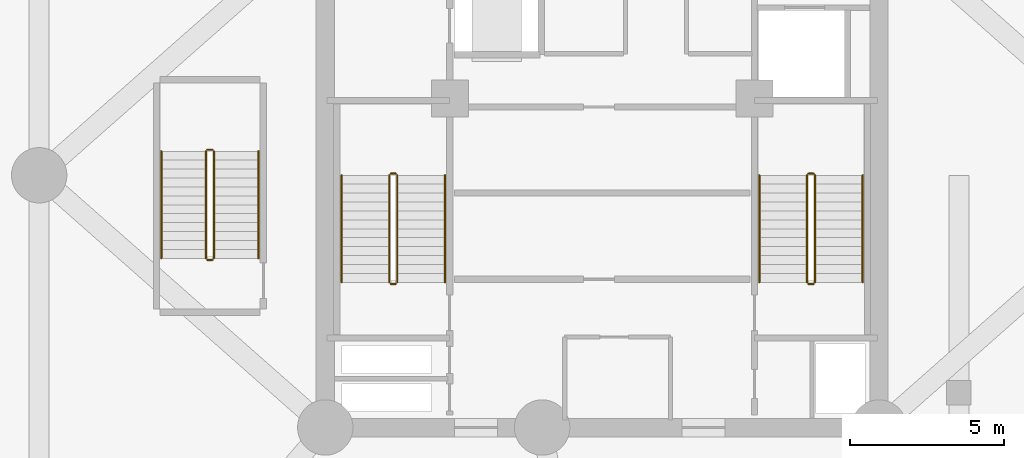
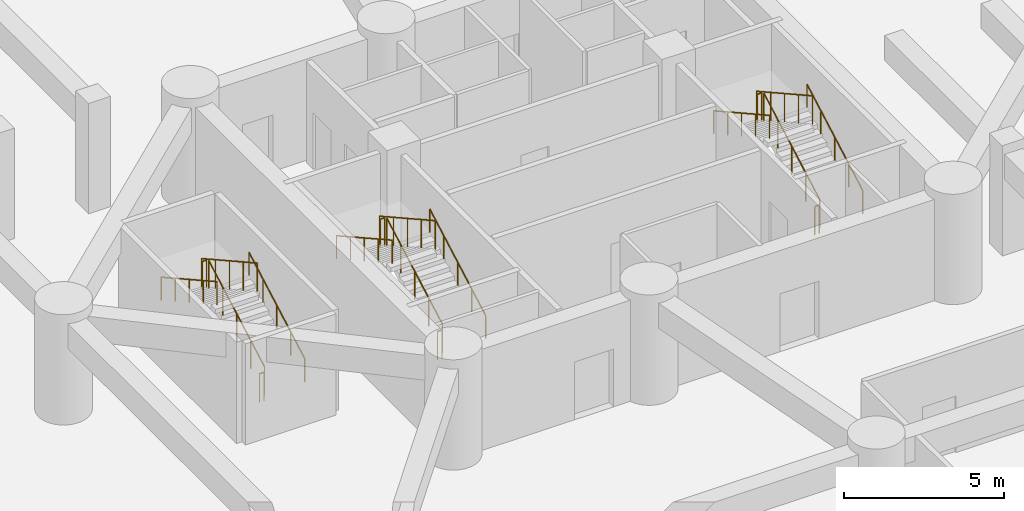
# One storey, part 8 of 11: 18 railings.
"""IFC4 building model written with IfcOpenShell, lengths in metres."""

from ifc_helpers import new_model, si_unit, direction, frame, origin, origin_2d, place, context, subcontext, project, spatial, circle, extrude, material, layer, layer_set, type_object, element, save


model = new_model("IFC4")

# Units and contexts
model_context = context("Model", 3, precision=1e-05, world=origin(), true_north=direction((0.0, 1.0)))
body_context = subcontext(model_context, "Body", "Model", "MODEL_VIEW")
ifc_project = project(units=[si_unit("LENGTHUNIT", "METRE"), si_unit("AREAUNIT", "SQUARE_METRE"), si_unit("VOLUMEUNIT", "CUBIC_METRE"), si_unit("PLANEANGLEUNIT", "RADIAN"), si_unit("MASSUNIT", "GRAM", prefix="KILO")], contexts=[model_context])

# Site, building, storey
site_placement = place(None, origin())
site = spatial("IfcSite", under=ifc_project, at=site_placement, CompositionType="ELEMENT")
building_placement = place(site_placement, origin())
building = spatial("IfcBuilding", under=site, at=building_placement, Name="Karkom Vertical University and Central Library", CompositionType="ELEMENT")
storey_placement = place(building_placement, frame((0.0, 0.0, -4.199951171875)))
storey = spatial("IfcBuildingStorey", under=building, at=storey_placement, Name="B01", CompositionType="ELEMENT", Elevation=-4.199951171875)

# Railings
ifc_material_1 = material(Name="Painted galvanised steel balustrade", Category="steel")
ifc_layer_1 = layer(ifc_material_1, 0.06005859375)
ifc_layer_set_1 = layer_set([ifc_layer_1], Name="Painted galvanised steel balustrade")
railing_type_1 = type_object("IfcRailingType", Name="INT-RL-GUARD1100", PredefinedType="GUARDRAIL", material=ifc_layer_set_1)
railing_1_placement = place(storey_placement, frame((21.840087890625, 23.02001953125, 0.161376953125)))
element("IfcRailing", 1, at=railing_1_placement, inside=storey, type_object=railing_type_1, Name="Basement 01 ST-1 stair guard 1", PredefinedType="GUARDRAIL", context=body_context, shape_type="SweptSolid", body=[
    extrude(circle(Radius=0.02392578125, at=origin_2d()), frame((0.0, 0.0, 1.076171875), z_axis=(0.0, 0.87360743253, 0.486631332559), x_axis=(-1.0, 0.0, 0.0)), (0.0, 0.0, 1.0), 3.9833984375),
    extrude(circle(Radius=0.02099609375, at=origin_2d()), origin(), (0.0, 0.0, 1.0), 1.052001953125),
    extrude(circle(Radius=0.02099609375, at=origin_2d()), frame((0.0, 0.8701171875, 0.484619140625)), (0.0, 0.0, 1.0), 1.052001953125),
    extrude(circle(Radius=0.02099609375, at=origin_2d()), frame((0.0, 1.739990234375, 0.96923828125)), (0.0, 0.0, 1.0), 1.052001953125),
    extrude(circle(Radius=0.02099609375, at=origin_2d()), frame((0.0, 2.60986328125, 1.453857421875)), (0.0, 0.0, 1.0), 1.052001953125),
    extrude(circle(Radius=0.02099609375, at=origin_2d()), frame((0.0, 3.47998046875, 1.9384765625)), (0.0, 0.0, 1.0), 1.052001953125),
])
railing_2_placement = place(storey_placement, frame((21.7900390625, 26.550048828125, 2.099853515625)))
element("IfcRailing", 2, at=railing_2_placement, inside=storey, type_object=railing_type_1, Name="Basement 01 ST-1 stair guard 2", PredefinedType="GUARDRAIL", context=body_context, shape_type="SweptSolid", body=[
    extrude(circle(Radius=0.02392578125, at=origin_2d()), frame((0.0, 0.0, 1.076171875), z_axis=(-1.0, 0.0, 0.0), x_axis=(0.0, -1.0, 0.0)), (0.0, 0.0, 1.0), 0.16015625),
    extrude(circle(Radius=0.02099609375, at=origin_2d()), origin(), (0.0, 0.0, 1.0), 1.052001953125),
    extrude(circle(Radius=0.02099609375, at=origin_2d()), frame((-0.16015625, 0.0, 0.0)), (0.0, 0.0, 1.0), 1.052001953125),
])
railing_3_placement = place(storey_placement, frame((21.580078125, 26.5, 2.261474609375)))
element("IfcRailing", 3, at=railing_3_placement, inside=storey, type_object=railing_type_1, Name="Basement 01 ST-1 stair guard 3", PredefinedType="GUARDRAIL", context=body_context, shape_type="SweptSolid", body=[
    extrude(circle(Radius=0.02392578125, at=origin_2d()), frame((0.0, 0.0, 1.076171875), z_axis=(0.0, -0.87360743253, 0.486631332559), x_axis=(1.0, 0.0, 0.0)), (0.0, 0.0, 1.0), 3.9833984375),
    extrude(circle(Radius=0.02099609375, at=origin_2d()), origin(), (0.0, 0.0, 1.0), 1.052001953125),
    extrude(circle(Radius=0.02099609375, at=origin_2d()), frame((0.0, -0.8701171875, 0.484619140625)), (0.0, 0.0, 1.0), 1.052001953125),
    extrude(circle(Radius=0.02099609375, at=origin_2d()), frame((0.0, -1.739990234375, 0.96923828125)), (0.0, 0.0, 1.0), 1.052001953125),
    extrude(circle(Radius=0.02099609375, at=origin_2d()), frame((0.0, -2.60986328125, 1.453857421875)), (0.0, 0.0, 1.0), 1.052001953125),
    extrude(circle(Radius=0.02099609375, at=origin_2d()), frame((0.0, -3.47998046875, 1.9384765625)), (0.0, 0.0, 1.0), 1.052001953125),
])
railing_4_placement = place(storey_placement, frame((21.7900390625, 22.969970703125, 0.0)))
element("IfcRailing", 4, at=railing_4_placement, inside=storey, type_object=railing_type_1, Name="Basement 01 ST-1 stair guard 4", PredefinedType="GUARDRAIL", context=body_context, shape_type="SweptSolid", body=[
    extrude(circle(Radius=0.02392578125, at=origin_2d()), frame((0.0, 0.0, 1.076171875), z_axis=(-1.0, 0.0, 0.0), x_axis=(0.0, -1.0, 0.0)), (0.0, 0.0, 1.0), 0.16015625),
    extrude(circle(Radius=0.02099609375, at=origin_2d()), origin(), (0.0, 0.0, 1.0), 1.052001953125),
    extrude(circle(Radius=0.02099609375, at=origin_2d()), frame((-0.16015625, 0.0, 0.0)), (0.0, 0.0, 1.0), 1.052001953125),
])
railing_5_placement = place(storey_placement, frame((35.419921875, 23.02001953125, 0.161376953125)))
element("IfcRailing", 5, at=railing_5_placement, inside=storey, type_object=railing_type_1, Name="Basement 01 ST-2 stair guard 1", PredefinedType="GUARDRAIL", context=body_context, shape_type="SweptSolid", body=[
    extrude(circle(Radius=0.02392578125, at=origin_2d()), frame((0.0, 0.0, 1.076171875), z_axis=(0.0, 0.87360743253, 0.486631332559), x_axis=(-1.0, 0.0, 0.0)), (0.0, 0.0, 1.0), 3.9833984375),
    extrude(circle(Radius=0.02099609375, at=origin_2d()), origin(), (0.0, 0.0, 1.0), 1.052001953125),
    extrude(circle(Radius=0.02099609375, at=origin_2d()), frame((0.0, 0.8701171875, 0.484619140625)), (0.0, 0.0, 1.0), 1.052001953125),
    extrude(circle(Radius=0.02099609375, at=origin_2d()), frame((0.0, 1.739990234375, 0.96923828125)), (0.0, 0.0, 1.0), 1.052001953125),
    extrude(circle(Radius=0.02099609375, at=origin_2d()), frame((0.0, 2.60986328125, 1.453857421875)), (0.0, 0.0, 1.0), 1.052001953125),
    extrude(circle(Radius=0.02099609375, at=origin_2d()), frame((0.0, 3.47998046875, 1.9384765625)), (0.0, 0.0, 1.0), 1.052001953125),
])
railing_6_placement = place(storey_placement, frame((35.3701171875, 26.550048828125, 2.099853515625)))
element("IfcRailing", 6, at=railing_6_placement, inside=storey, type_object=railing_type_1, Name="Basement 01 ST-2 stair guard 2", PredefinedType="GUARDRAIL", context=body_context, shape_type="SweptSolid", body=[
    extrude(circle(Radius=0.02392578125, at=origin_2d()), frame((0.0, 0.0, 1.076171875), z_axis=(-1.0, 0.0, 0.0), x_axis=(0.0, -1.0, 0.0)), (0.0, 0.0, 1.0), 0.16015625),
    extrude(circle(Radius=0.02099609375, at=origin_2d()), origin(), (0.0, 0.0, 1.0), 1.052001953125),
    extrude(circle(Radius=0.02099609375, at=origin_2d()), frame((-0.16015625, 0.0, 0.0)), (0.0, 0.0, 1.0), 1.052001953125),
])
railing_7_placement = place(storey_placement, frame((35.159912109375, 26.5, 2.261474609375)))
element("IfcRailing", 7, at=railing_7_placement, inside=storey, type_object=railing_type_1, Name="Basement 01 ST-2 stair guard 3", PredefinedType="GUARDRAIL", context=body_context, shape_type="SweptSolid", body=[
    extrude(circle(Radius=0.02392578125, at=origin_2d()), frame((0.0, 0.0, 1.076171875), z_axis=(0.0, -0.87360743253, 0.486631332559), x_axis=(1.0, 0.0, 0.0)), (0.0, 0.0, 1.0), 3.9833984375),
    extrude(circle(Radius=0.02099609375, at=origin_2d()), origin(), (0.0, 0.0, 1.0), 1.052001953125),
    extrude(circle(Radius=0.02099609375, at=origin_2d()), frame((0.0, -0.8701171875, 0.484619140625)), (0.0, 0.0, 1.0), 1.052001953125),
    extrude(circle(Radius=0.02099609375, at=origin_2d()), frame((0.0, -1.739990234375, 0.96923828125)), (0.0, 0.0, 1.0), 1.052001953125),
    extrude(circle(Radius=0.02099609375, at=origin_2d()), frame((0.0, -2.60986328125, 1.453857421875)), (0.0, 0.0, 1.0), 1.052001953125),
    extrude(circle(Radius=0.02099609375, at=origin_2d()), frame((0.0, -3.47998046875, 1.9384765625)), (0.0, 0.0, 1.0), 1.052001953125),
])
railing_8_placement = place(storey_placement, frame((35.3701171875, 22.969970703125, 0.0)))
element("IfcRailing", 8, at=railing_8_placement, inside=storey, type_object=railing_type_1, Name="Basement 01 ST-2 stair guard 4", PredefinedType="GUARDRAIL", context=body_context, shape_type="SweptSolid", body=[
    extrude(circle(Radius=0.02392578125, at=origin_2d()), frame((0.0, 0.0, 1.076171875), z_axis=(-1.0, 0.0, 0.0), x_axis=(0.0, -1.0, 0.0)), (0.0, 0.0, 1.0), 0.16015625),
    extrude(circle(Radius=0.02099609375, at=origin_2d()), origin(), (0.0, 0.0, 1.0), 1.052001953125),
    extrude(circle(Radius=0.02099609375, at=origin_2d()), frame((-0.16015625, 0.0, 0.0)), (0.0, 0.0, 1.0), 1.052001953125),
])
railing_9_placement = place(storey_placement, frame((15.8798828125, 23.800048828125, 0.161376953125)))
element("IfcRailing", 9, at=railing_9_placement, inside=storey, type_object=railing_type_1, Name="Basement 01 ST-3 stair guard 1", PredefinedType="GUARDRAIL", context=body_context, shape_type="SweptSolid", body=[
    extrude(circle(Radius=0.02392578125, at=origin_2d()), frame((0.0, 0.0, 1.076171875), z_axis=(0.0, 0.87360743253, 0.486631332559), x_axis=(-1.0, 0.0, 0.0)), (0.0, 0.0, 1.0), 3.9833984375),
    extrude(circle(Radius=0.02099609375, at=origin_2d()), origin(), (0.0, 0.0, 1.0), 1.052001953125),
    extrude(circle(Radius=0.02099609375, at=origin_2d()), frame((0.0, 0.8701171875, 0.484619140625)), (0.0, 0.0, 1.0), 1.052001953125),
    extrude(circle(Radius=0.02099609375, at=origin_2d()), frame((0.0, 1.739990234375, 0.96923828125)), (0.0, 0.0, 1.0), 1.052001953125),
    extrude(circle(Radius=0.02099609375, at=origin_2d()), frame((0.0, 2.60986328125, 1.453857421875)), (0.0, 0.0, 1.0), 1.052001953125),
    extrude(circle(Radius=0.02099609375, at=origin_2d()), frame((0.0, 3.47998046875, 1.9384765625)), (0.0, 0.0, 1.0), 1.052001953125),
])
railing_10_placement = place(storey_placement, frame((15.830078125, 27.330078125, 2.099853515625)))
element("IfcRailing", 10, at=railing_10_placement, inside=storey, type_object=railing_type_1, Name="Basement 01 ST-3 stair guard 2", PredefinedType="GUARDRAIL", context=body_context, shape_type="SweptSolid", body=[
    extrude(circle(Radius=0.02392578125, at=origin_2d()), frame((0.0, 0.0, 1.076171875), z_axis=(-1.0, 0.0, 0.0), x_axis=(0.0, -1.0, 0.0)), (0.0, 0.0, 1.0), 0.16015625),
    extrude(circle(Radius=0.02099609375, at=origin_2d()), origin(), (0.0, 0.0, 1.0), 1.052001953125),
    extrude(circle(Radius=0.02099609375, at=origin_2d()), frame((-0.16015625, 0.0, 0.0)), (0.0, 0.0, 1.0), 1.052001953125),
])
railing_11_placement = place(storey_placement, frame((15.6201171875, 27.280029296875, 2.261474609375)))
element("IfcRailing", 11, at=railing_11_placement, inside=storey, type_object=railing_type_1, Name="Basement 01 ST-3 stair guard 3", PredefinedType="GUARDRAIL", context=body_context, shape_type="SweptSolid", body=[
    extrude(circle(Radius=0.02392578125, at=origin_2d()), frame((0.0, 0.0, 1.076171875), z_axis=(0.0, -0.87360743253, 0.486631332559), x_axis=(1.0, 0.0, 0.0)), (0.0, 0.0, 1.0), 3.9833984375),
    extrude(circle(Radius=0.02099609375, at=origin_2d()), origin(), (0.0, 0.0, 1.0), 1.052001953125),
    extrude(circle(Radius=0.02099609375, at=origin_2d()), frame((0.0, -0.8701171875, 0.484619140625)), (0.0, 0.0, 1.0), 1.052001953125),
    extrude(circle(Radius=0.02099609375, at=origin_2d()), frame((0.0, -1.739990234375, 0.96923828125)), (0.0, 0.0, 1.0), 1.052001953125),
    extrude(circle(Radius=0.02099609375, at=origin_2d()), frame((0.0, -2.60986328125, 1.453857421875)), (0.0, 0.0, 1.0), 1.052001953125),
    extrude(circle(Radius=0.02099609375, at=origin_2d()), frame((0.0, -3.47998046875, 1.9384765625)), (0.0, 0.0, 1.0), 1.052001953125),
])
railing_12_placement = place(storey_placement, frame((15.830078125, 23.75, 0.0)))
element("IfcRailing", 12, at=railing_12_placement, inside=storey, type_object=railing_type_1, Name="Basement 01 ST-3 stair guard 4", PredefinedType="GUARDRAIL", context=body_context, shape_type="SweptSolid", body=[
    extrude(circle(Radius=0.02392578125, at=origin_2d()), frame((0.0, 0.0, 1.076171875), z_axis=(-1.0, 0.0, 0.0), x_axis=(0.0, -1.0, 0.0)), (0.0, 0.0, 1.0), 0.16015625),
    extrude(circle(Radius=0.02099609375, at=origin_2d()), origin(), (0.0, 0.0, 1.0), 1.052001953125),
    extrude(circle(Radius=0.02099609375, at=origin_2d()), frame((-0.16015625, 0.0, 0.0)), (0.0, 0.0, 1.0), 1.052001953125),
])
ifc_material_2 = material(Name="Brushed stainless-steel tubular handrail", Category="steel")
ifc_layer_2 = layer(ifc_material_2, 0.048095703125)
ifc_layer_set_2 = layer_set([ifc_layer_2], Name="Brushed stainless-steel tubular handrail")
railing_type_2 = type_object("IfcRailingType", Name="INT-RL-HAND920", PredefinedType="HANDRAIL", material=ifc_layer_set_2)
railing_13_placement = place(storey_placement, frame((23.389892578125, 23.02001953125, 0.161376953125)))
element("IfcRailing", 13, at=railing_13_placement, inside=storey, type_object=railing_type_2, Name="Basement 01 ST-1 stair handrail 1", PredefinedType="HANDRAIL", context=body_context, shape_type="SweptSolid", body=[
    extrude(circle(Radius=0.02392578125, at=origin_2d()), frame((0.0, 0.0, 0.8759765625), z_axis=(0.0, 0.87360743253, 0.486631332559), x_axis=(-1.0, 0.0, 0.0)), (0.0, 0.0, 1.0), 3.9833984375),
    extrude(circle(Radius=0.02099609375, at=origin_2d()), origin(), (0.0, 0.0, 1.0), 0.851806640625),
    extrude(circle(Radius=0.02099609375, at=origin_2d()), frame((0.0, 0.8701171875, 0.484619140625)), (0.0, 0.0, 1.0), 0.851806640625),
    extrude(circle(Radius=0.02099609375, at=origin_2d()), frame((0.0, 1.739990234375, 0.96923828125)), (0.0, 0.0, 1.0), 0.851806640625),
    extrude(circle(Radius=0.02099609375, at=origin_2d()), frame((0.0, 2.60986328125, 1.453857421875)), (0.0, 0.0, 1.0), 0.851806640625),
    extrude(circle(Radius=0.02099609375, at=origin_2d()), frame((0.0, 3.47998046875, 1.9384765625)), (0.0, 0.0, 1.0), 0.851806640625),
])
railing_14_placement = place(storey_placement, frame((20.030029296875, 26.5, 2.261474609375)))
element("IfcRailing", 14, at=railing_14_placement, inside=storey, type_object=railing_type_2, Name="Basement 01 ST-1 stair handrail 2", PredefinedType="HANDRAIL", context=body_context, shape_type="SweptSolid", body=[
    extrude(circle(Radius=0.02392578125, at=origin_2d()), frame((0.0, 0.0, 0.8759765625), z_axis=(0.0, -0.87360743253, 0.486631332559), x_axis=(1.0, 0.0, 0.0)), (0.0, 0.0, 1.0), 3.9833984375),
    extrude(circle(Radius=0.02099609375, at=origin_2d()), origin(), (0.0, 0.0, 1.0), 0.851806640625),
    extrude(circle(Radius=0.02099609375, at=origin_2d()), frame((0.0, -0.8701171875, 0.484619140625)), (0.0, 0.0, 1.0), 0.851806640625),
    extrude(circle(Radius=0.02099609375, at=origin_2d()), frame((0.0, -1.739990234375, 0.96923828125)), (0.0, 0.0, 1.0), 0.851806640625),
    extrude(circle(Radius=0.02099609375, at=origin_2d()), frame((0.0, -2.60986328125, 1.453857421875)), (0.0, 0.0, 1.0), 0.851806640625),
    extrude(circle(Radius=0.02099609375, at=origin_2d()), frame((0.0, -3.47998046875, 1.9384765625)), (0.0, 0.0, 1.0), 0.851806640625),
])
railing_15_placement = place(storey_placement, frame((36.969970703125, 23.02001953125, 0.161376953125)))
element("IfcRailing", 15, at=railing_15_placement, inside=storey, type_object=railing_type_2, Name="Basement 01 ST-2 stair handrail 1", PredefinedType="HANDRAIL", context=body_context, shape_type="SweptSolid", body=[
    extrude(circle(Radius=0.02392578125, at=origin_2d()), frame((0.0, 0.0, 0.8759765625), z_axis=(0.0, 0.87360743253, 0.486631332559), x_axis=(-1.0, 0.0, 0.0)), (0.0, 0.0, 1.0), 3.9833984375),
    extrude(circle(Radius=0.02099609375, at=origin_2d()), origin(), (0.0, 0.0, 1.0), 0.851806640625),
    extrude(circle(Radius=0.02099609375, at=origin_2d()), frame((0.0, 0.8701171875, 0.484619140625)), (0.0, 0.0, 1.0), 0.851806640625),
    extrude(circle(Radius=0.02099609375, at=origin_2d()), frame((0.0, 1.739990234375, 0.96923828125)), (0.0, 0.0, 1.0), 0.851806640625),
    extrude(circle(Radius=0.02099609375, at=origin_2d()), frame((0.0, 2.60986328125, 1.453857421875)), (0.0, 0.0, 1.0), 0.851806640625),
    extrude(circle(Radius=0.02099609375, at=origin_2d()), frame((0.0, 3.47998046875, 1.9384765625)), (0.0, 0.0, 1.0), 0.851806640625),
])
railing_16_placement = place(storey_placement, frame((33.610107421875, 26.5, 2.261474609375)))
element("IfcRailing", 16, at=railing_16_placement, inside=storey, type_object=railing_type_2, Name="Basement 01 ST-2 stair handrail 2", PredefinedType="HANDRAIL", context=body_context, shape_type="SweptSolid", body=[
    extrude(circle(Radius=0.02392578125, at=origin_2d()), frame((0.0, 0.0, 0.8759765625), z_axis=(0.0, -0.87360743253, 0.486631332559), x_axis=(1.0, 0.0, 0.0)), (0.0, 0.0, 1.0), 3.9833984375),
    extrude(circle(Radius=0.02099609375, at=origin_2d()), origin(), (0.0, 0.0, 1.0), 0.851806640625),
    extrude(circle(Radius=0.02099609375, at=origin_2d()), frame((0.0, -0.8701171875, 0.484619140625)), (0.0, 0.0, 1.0), 0.851806640625),
    extrude(circle(Radius=0.02099609375, at=origin_2d()), frame((0.0, -1.739990234375, 0.96923828125)), (0.0, 0.0, 1.0), 0.851806640625),
    extrude(circle(Radius=0.02099609375, at=origin_2d()), frame((0.0, -2.60986328125, 1.453857421875)), (0.0, 0.0, 1.0), 0.851806640625),
    extrude(circle(Radius=0.02099609375, at=origin_2d()), frame((0.0, -3.47998046875, 1.9384765625)), (0.0, 0.0, 1.0), 0.851806640625),
])
railing_17_placement = place(storey_placement, frame((17.330078125, 23.800048828125, 0.161376953125)))
element("IfcRailing", 17, at=railing_17_placement, inside=storey, type_object=railing_type_2, Name="Basement 01 ST-3 stair handrail 1", PredefinedType="HANDRAIL", context=body_context, shape_type="SweptSolid", body=[
    extrude(circle(Radius=0.02392578125, at=origin_2d()), frame((0.0, 0.0, 0.8759765625), z_axis=(0.0, 0.87360743253, 0.486631332559), x_axis=(-1.0, 0.0, 0.0)), (0.0, 0.0, 1.0), 3.9833984375),
    extrude(circle(Radius=0.02099609375, at=origin_2d()), origin(), (0.0, 0.0, 1.0), 0.851806640625),
    extrude(circle(Radius=0.02099609375, at=origin_2d()), frame((0.0, 0.8701171875, 0.484619140625)), (0.0, 0.0, 1.0), 0.851806640625),
    extrude(circle(Radius=0.02099609375, at=origin_2d()), frame((0.0, 1.739990234375, 0.96923828125)), (0.0, 0.0, 1.0), 0.851806640625),
    extrude(circle(Radius=0.02099609375, at=origin_2d()), frame((0.0, 2.60986328125, 1.453857421875)), (0.0, 0.0, 1.0), 0.851806640625),
    extrude(circle(Radius=0.02099609375, at=origin_2d()), frame((0.0, 3.47998046875, 1.9384765625)), (0.0, 0.0, 1.0), 0.851806640625),
])
railing_18_placement = place(storey_placement, frame((14.169921875, 27.280029296875, 2.261474609375)))
element("IfcRailing", 18, at=railing_18_placement, inside=storey, type_object=railing_type_2, Name="Basement 01 ST-3 stair handrail 2", PredefinedType="HANDRAIL", context=body_context, shape_type="SweptSolid", body=[
    extrude(circle(Radius=0.02392578125, at=origin_2d()), frame((0.0, 0.0, 0.8759765625), z_axis=(0.0, -0.87360743253, 0.486631332559), x_axis=(1.0, 0.0, 0.0)), (0.0, 0.0, 1.0), 3.9833984375),
    extrude(circle(Radius=0.02099609375, at=origin_2d()), origin(), (0.0, 0.0, 1.0), 0.851806640625),
    extrude(circle(Radius=0.02099609375, at=origin_2d()), frame((0.0, -0.8701171875, 0.484619140625)), (0.0, 0.0, 1.0), 0.851806640625),
    extrude(circle(Radius=0.02099609375, at=origin_2d()), frame((0.0, -1.739990234375, 0.96923828125)), (0.0, 0.0, 1.0), 0.851806640625),
    extrude(circle(Radius=0.02099609375, at=origin_2d()), frame((0.0, -2.60986328125, 1.453857421875)), (0.0, 0.0, 1.0), 0.851806640625),
    extrude(circle(Radius=0.02099609375, at=origin_2d()), frame((0.0, -3.47998046875, 1.9384765625)), (0.0, 0.0, 1.0), 0.851806640625),
])

save(model, "model.ifc")
